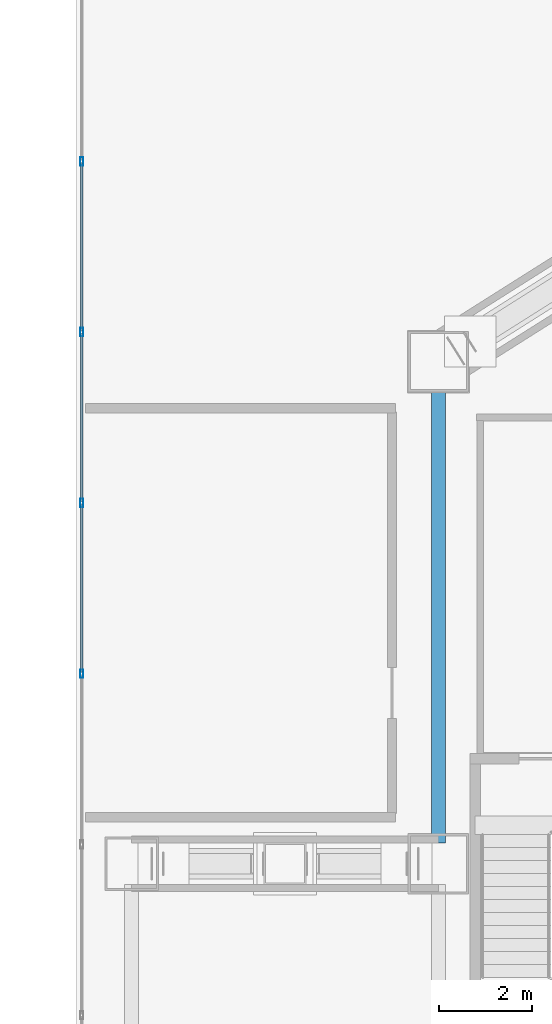
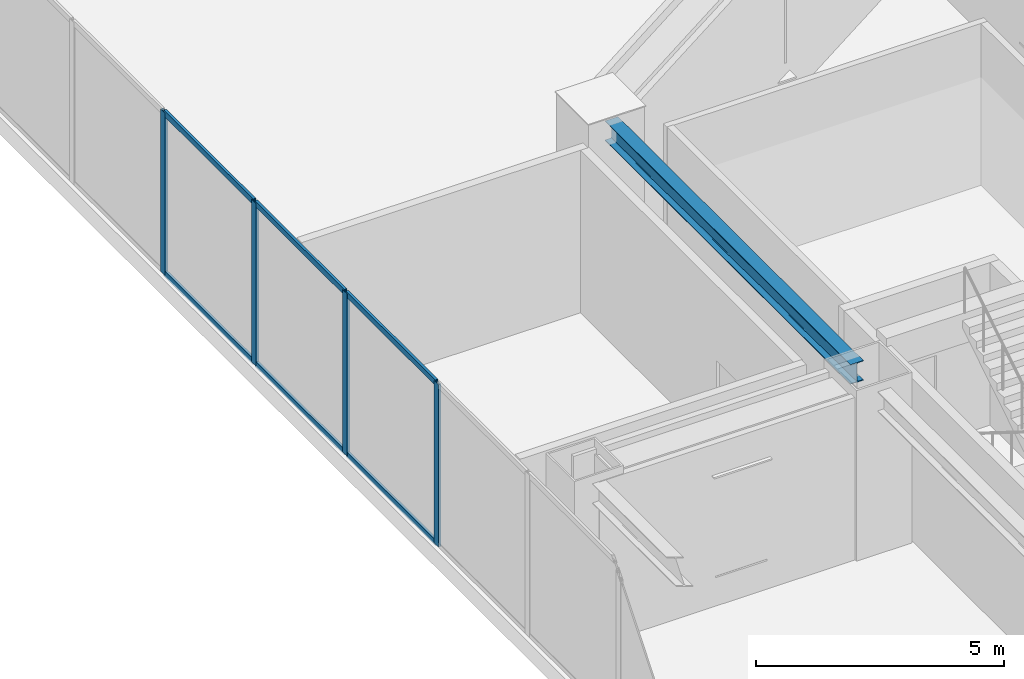
# One storey, part 8 of 39: 10 members, 1 beam, 1 element without a shape of its own.
"""IFC4 building model written with IfcOpenShell, lengths in metres."""

from ifc_helpers import new_model, si_unit, direction, frame, origin, origin_2d, place, context, subcontext, project, spatial, hollow_rectangle, i_section, extrude, material, layer, layer_set, material_profile, profile_set, type_object, element, aggregate, save


model = new_model("IFC4")

# Units and contexts
model_context = context("Model", 3, precision=1e-05, world=origin(), true_north=direction((0.0, 1.0)))
body_context = subcontext(model_context, "Body", "Model", "MODEL_VIEW")
ifc_project = project(units=[si_unit("LENGTHUNIT", "METRE"), si_unit("AREAUNIT", "SQUARE_METRE"), si_unit("VOLUMEUNIT", "CUBIC_METRE"), si_unit("PLANEANGLEUNIT", "RADIAN"), si_unit("MASSUNIT", "GRAM", prefix="KILO")], contexts=[model_context])

# Site, building, storey
site_placement = place(None, origin())
site = spatial("IfcSite", under=ifc_project, at=site_placement, CompositionType="ELEMENT")
building_placement = place(site_placement, origin())
building = spatial("IfcBuilding", under=site, at=building_placement, Name="Haolan Belvedere Tower", CompositionType="ELEMENT")
storey_placement = place(building_placement, frame((0.0, 0.0, 19.800048828125)))
storey = spatial("IfcBuildingStorey", under=building, at=storey_placement, Name="L04", CompositionType="ELEMENT", Elevation=19.800048828125)

# Beam
ifc_material_1 = material(Name="Steel Q355B", Category="steel")
ifc_material_profile_1 = material_profile(ifc_material_1, i_section(OverallWidth=0.300048828125, OverallDepth=0.488037109375, WebThickness=0.010986328125, FlangeThickness=0.01806640625, FilletRadius=0.02587890625, at=origin_2d()), Name="Steel Q355B")
ifc_profile_set_1 = profile_set([ifc_material_profile_1], Name="Steel Q355B")
beam_type = type_object("IfcBeamType", Name="BM-HM488x300x11x18", PredefinedType="SPANDREL", material=ifc_profile_set_1)
beam_placement = place(storey_placement, frame((12.60009765625, 28.050048828125, 3.755859375), z_axis=(0.0, 1.0, 0.0), x_axis=(-1.0, 0.0, 0.0)))
element("IfcBeam", 1, at=beam_placement, inside=storey, type_object=beam_type, Name="L04 spandrel girder MC-T2-MW-MC-T2-NW", PredefinedType="SPANDREL", context=body_context, shape_type="SweptSolid", body=[
    extrude(i_section(OverallWidth=0.300048828125, OverallDepth=0.488037109375, WebThickness=0.010986328125, FlangeThickness=0.01806640625, FilletRadius=0.02587890625, at=origin_2d()), origin(), (0.0, 0.0, 1.0), 9.89990234375),
])

# Curtain wall, members
ifc_material_2 = material(Name="Anodised champagne-silver aluminium 6063-T6 and Low-E glass", Category="aluminium")
ifc_layer = layer(ifc_material_2, 0.179931640625, Name="Anodised champagne-silver aluminium 6063-T6 and Low-E glass")
ifc_layer_set = layer_set([ifc_layer], Name="Anodised champagne-silver aluminium 6063-T6 and Low-E glass")
curtain_wall_type = type_object("IfcCurtainWallType", Name="CW-SYS-01", PredefinedType="NOTDEFINED", material=ifc_layer_set)
curtain_wall_placement = place(storey_placement, origin())
curtain_wall = element("IfcCurtainWall", 2, at=curtain_wall_placement, inside=storey, type_object=curtain_wall_type, Name="L04 CW-SYS-01 ribbon curtain wall 4.1", PredefinedType="NOTDEFINED")
ifc_material_3 = material(Name="Anodised aluminium 6063-T6", Category="aluminium")
ifc_material_profile_2 = material_profile(ifc_material_3, hollow_rectangle(XDim=0.06494140625, YDim=0.179931640625, WallThickness=0.00390625, at=origin_2d()), Name="Anodised aluminium 6063-T6")
ifc_profile_set_2 = profile_set([ifc_material_profile_2], Name="Anodised aluminium 6063-T6")
member_type_1 = type_object("IfcMemberType", Name="CW-SYS-01-MUL", PredefinedType="MULLION", material=ifc_profile_set_2)
member_1_placement = place(storey_placement, frame((4.929931640625, 42.709228515625, 0.0), z_axis=(0.0, 0.0, 1.0), x_axis=(1.0, 0.0, 0.0)))
member_1 = element("IfcMember", 3, at=member_1_placement, type_object=member_type_1, Name="CW-01 mullion 4", PredefinedType="MULLION", context=body_context, shape_type="SweptSolid", body=[
    extrude(hollow_rectangle(XDim=0.06494140625, YDim=0.179931640625, WallThickness=0.00390625, at=origin_2d()), origin(), (0.0, 0.0, 1.0), 4.0),
])
member_2_placement = place(storey_placement, frame((4.929931640625, 39.035400390625, 0.0), z_axis=(0.0, 0.0, 1.0), x_axis=(1.0, 0.0, 0.0)))
member_2 = element("IfcMember", 4, at=member_2_placement, type_object=member_type_1, Name="CW-01 mullion 5", PredefinedType="MULLION", context=body_context, shape_type="SweptSolid", body=[
    extrude(hollow_rectangle(XDim=0.06494140625, YDim=0.179931640625, WallThickness=0.00390625, at=origin_2d()), origin(), (0.0, 0.0, 1.0), 4.0),
])
member_3_placement = place(storey_placement, frame((4.929931640625, 35.36181640625, 0.0), z_axis=(0.0, 0.0, 1.0), x_axis=(1.0, 0.0, 0.0)))
member_3 = element("IfcMember", 5, at=member_3_placement, type_object=member_type_1, Name="CW-01 mullion 6", PredefinedType="MULLION", context=body_context, shape_type="SweptSolid", body=[
    extrude(hollow_rectangle(XDim=0.06494140625, YDim=0.179931640625, WallThickness=0.00390625, at=origin_2d()), origin(), (0.0, 0.0, 1.0), 4.0),
])
member_4_placement = place(storey_placement, frame((4.929931640625, 31.688232421875, 0.0), z_axis=(0.0, 0.0, 1.0), x_axis=(1.0, 0.0, 0.0)))
member_4 = element("IfcMember", 6, at=member_4_placement, type_object=member_type_1, Name="CW-01 mullion 7", PredefinedType="MULLION", context=body_context, shape_type="SweptSolid", body=[
    extrude(hollow_rectangle(XDim=0.06494140625, YDim=0.179931640625, WallThickness=0.00390625, at=origin_2d()), origin(), (0.0, 0.0, 1.0), 4.0),
])
ifc_material_profile_3 = material_profile(ifc_material_3, hollow_rectangle(XDim=0.06005859375, YDim=0.139892578125, WallThickness=0.00390625, at=origin_2d()), Name="Anodised aluminium 6063-T6")
ifc_profile_set_3 = profile_set([ifc_material_profile_3], Name="Anodised aluminium 6063-T6")
member_type_2 = type_object("IfcMemberType", Name="CW-SYS-01-TRN", PredefinedType="USERDEFINED", material=ifc_profile_set_3)
member_5_placement = place(storey_placement, frame((4.929931640625, 42.6767578125, 0.030029296875), z_axis=(0.0, -1.0, 0.0), x_axis=(1.0, 0.0, 0.0)))
member_5 = element("IfcMember", 7, at=member_5_placement, type_object=member_type_2, Name="CW-01 transom 4.1", ObjectType="TRANSOM", PredefinedType="USERDEFINED", context=body_context, shape_type="SweptSolid", body=[
    extrude(hollow_rectangle(XDim=0.06005859375, YDim=0.139892578125, WallThickness=0.00390625, at=origin_2d()), origin(), (0.0, 0.0, 1.0), 3.608642578125),
])
member_6_placement = place(storey_placement, frame((4.929931640625, 42.6767578125, 3.969970703125), z_axis=(0.0, -1.0, 0.0), x_axis=(1.0, 0.0, 0.0)))
member_6 = element("IfcMember", 8, at=member_6_placement, type_object=member_type_2, Name="CW-01 transom 4.2", ObjectType="TRANSOM", PredefinedType="USERDEFINED", context=body_context, shape_type="SweptSolid", body=[
    extrude(hollow_rectangle(XDim=0.06005859375, YDim=0.139892578125, WallThickness=0.00390625, at=origin_2d()), origin(), (0.0, 0.0, 1.0), 3.608642578125),
])
member_7_placement = place(storey_placement, frame((4.929931640625, 39.0029296875, 0.030029296875), z_axis=(0.0, -1.0, 0.0), x_axis=(1.0, 0.0, 0.0)))
member_7 = element("IfcMember", 9, at=member_7_placement, type_object=member_type_2, Name="CW-01 transom 5.1", ObjectType="TRANSOM", PredefinedType="USERDEFINED", context=body_context, shape_type="SweptSolid", body=[
    extrude(hollow_rectangle(XDim=0.06005859375, YDim=0.139892578125, WallThickness=0.00390625, at=origin_2d()), origin(), (0.0, 0.0, 1.0), 3.608642578125),
])
member_8_placement = place(storey_placement, frame((4.929931640625, 39.0029296875, 3.969970703125), z_axis=(0.0, -1.0, 0.0), x_axis=(1.0, 0.0, 0.0)))
member_8 = element("IfcMember", 10, at=member_8_placement, type_object=member_type_2, Name="CW-01 transom 5.2", ObjectType="TRANSOM", PredefinedType="USERDEFINED", context=body_context, shape_type="SweptSolid", body=[
    extrude(hollow_rectangle(XDim=0.06005859375, YDim=0.139892578125, WallThickness=0.00390625, at=origin_2d()), origin(), (0.0, 0.0, 1.0), 3.608642578125),
])
member_9_placement = place(storey_placement, frame((4.929931640625, 35.329345703125, 0.030029296875), z_axis=(0.0, -1.0, 0.0), x_axis=(1.0, 0.0, 0.0)))
member_9 = element("IfcMember", 11, at=member_9_placement, type_object=member_type_2, Name="CW-01 transom 6.1", ObjectType="TRANSOM", PredefinedType="USERDEFINED", context=body_context, shape_type="SweptSolid", body=[
    extrude(hollow_rectangle(XDim=0.06005859375, YDim=0.139892578125, WallThickness=0.00390625, at=origin_2d()), origin(), (0.0, 0.0, 1.0), 3.608642578125),
])
member_10_placement = place(storey_placement, frame((4.929931640625, 35.329345703125, 3.969970703125), z_axis=(0.0, -1.0, 0.0), x_axis=(1.0, 0.0, 0.0)))
member_10 = element("IfcMember", 12, at=member_10_placement, type_object=member_type_2, Name="CW-01 transom 6.2", ObjectType="TRANSOM", PredefinedType="USERDEFINED", context=body_context, shape_type="SweptSolid", body=[
    extrude(hollow_rectangle(XDim=0.06005859375, YDim=0.139892578125, WallThickness=0.00390625, at=origin_2d()), origin(), (0.0, 0.0, 1.0), 3.608642578125),
])
aggregate(curtain_wall, [member_1, member_2, member_3, member_4, member_5, member_6, member_7, member_8, member_9, member_10])

save(model, "model.ifc")
